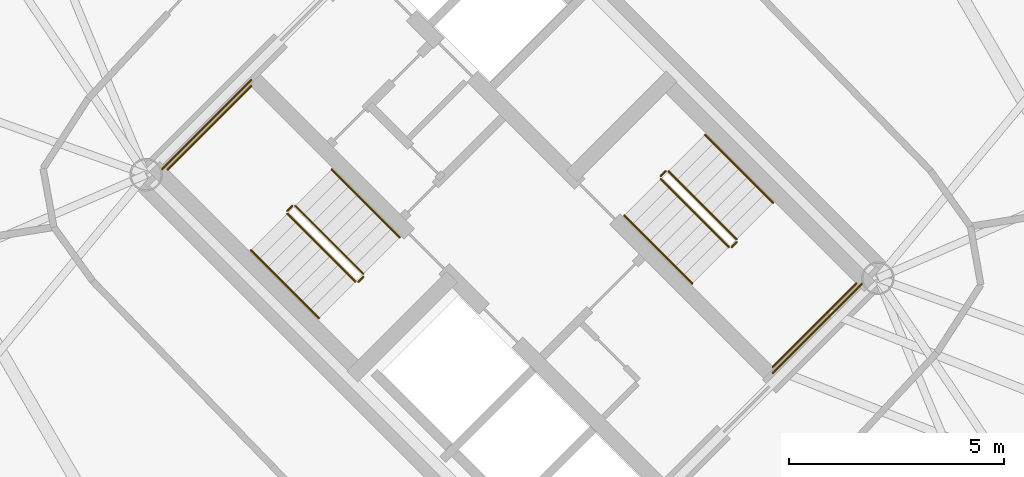
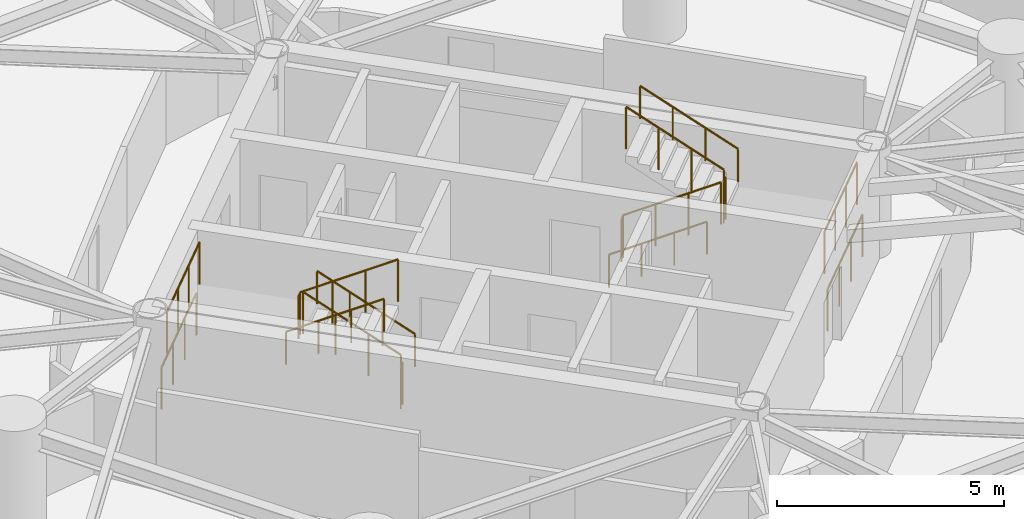
# One storey, part 16 of 16: 16 railings.
"""IFC4 building model written with IfcOpenShell, lengths in metres."""

from ifc_helpers import new_model, si_unit, direction, frame, origin, origin_2d, place, context, subcontext, project, spatial, circle, extrude, material, type_object, element, save


model = new_model("IFC4")

# Units and contexts
model_context = context("Model", 3, precision=1e-05, world=origin(), true_north=direction((0.0, 1.0)))
body_context = subcontext(model_context, "Body", "Model", "MODEL_VIEW")
ifc_project = project(units=[si_unit("LENGTHUNIT", "METRE"), si_unit("AREAUNIT", "SQUARE_METRE"), si_unit("VOLUMEUNIT", "CUBIC_METRE"), si_unit("PLANEANGLEUNIT", "RADIAN"), si_unit("MASSUNIT", "GRAM", prefix="KILO")], contexts=[model_context])

# Site, building, storey
site_placement = place(None, origin())
site = spatial("IfcSite", under=ifc_project, at=site_placement, CompositionType="ELEMENT")
building_placement = place(site_placement, origin())
building = spatial("IfcBuilding", under=site, at=building_placement, Name="Cununo Teusaquillo Station Towers", CompositionType="ELEMENT")
storey_placement = place(building_placement, frame((0.0, 0.0, 73.06005859375)))
storey = spatial("IfcBuildingStorey", under=building, at=storey_placement, Name="L22", CompositionType="ELEMENT", Elevation=73.06005859375)

# Railings
ifc_material_1 = material(Name="Steel EN 10025-2 S355J2", Category="steel")
railing_type_1 = type_object("IfcRailingType", Name="RL-INT-GUARD", PredefinedType="GUARDRAIL", material=ifc_material_1)
railing_1_placement = place(storey_placement, frame((54.03515625, 23.39697265625, 0.16162109375)))
element("IfcRailing", 1, at=railing_1_placement, inside=storey, type_object=railing_type_1, Name="L22 ST-T2-1 stair guard 1", PredefinedType="GUARDRAIL", context=body_context, shape_type="SweptSolid", body=[
    extrude(circle(Radius=0.02392578125, at=origin_2d()), frame((0.0, 0.0, 1.1259765625), z_axis=(-0.612361259024, 0.612361259024, 0.500027376144), x_axis=(-0.707106781187, -0.707106781187, 0.0)), (0.0, 0.0, 1.0), 2.586181640625),
    extrude(circle(Radius=0.02099609375, at=origin_2d()), origin(), (0.0, 0.0, 1.0), 1.101806640625),
    extrude(circle(Radius=0.02099609375, at=origin_2d()), frame((-0.52783203125, 0.52783203125, 0.43115234375)), (0.0, 0.0, 1.0), 1.101806640625),
    extrude(circle(Radius=0.02099609375, at=origin_2d()), frame((-1.055908203125, 1.055908203125, 0.862060546875)), (0.0, 0.0, 1.0), 1.101806640625),
    extrude(circle(Radius=0.02099609375, at=origin_2d()), frame((-1.583740234375, 1.583740234375, 1.293212890625)), (0.0, 0.0, 1.0), 1.101806640625),
])
railing_2_placement = place(storey_placement, frame((52.380615234375, 24.980712890625, 1.454833984375)))
element("IfcRailing", 2, at=railing_2_placement, inside=storey, type_object=railing_type_1, Name="L22 ST-T2-1 stair guard 2", PredefinedType="GUARDRAIL", context=body_context, shape_type="SweptSolid", body=[
    extrude(circle(Radius=0.02392578125, at=origin_2d()), frame((0.0, 0.0, 1.1259765625), z_axis=(-0.7078691598, -0.706343579714, 0.0), x_axis=(0.706343579714, -0.7078691598, 0.0)), (0.0, 0.0, 1.0), 0.159912109375),
    extrude(circle(Radius=0.02099609375, at=origin_2d()), origin(), (0.0, 0.0, 1.0), 1.101806640625),
    extrude(circle(Radius=0.02099609375, at=origin_2d()), frame((-0.11328125, -0.113037109375, 0.0)), (0.0, 0.0, 1.0), 1.101806640625),
])
railing_3_placement = place(storey_placement, frame((51.426025390625, 27.77392578125, 1.454833984375)))
element("IfcRailing", 3, at=railing_3_placement, inside=storey, type_object=railing_type_1, Name="L22 ST-T2-1 stair guard 3", PredefinedType="GUARDRAIL", context=body_context, shape_type="SweptSolid", body=[
    extrude(circle(Radius=0.02392578125, at=origin_2d()), frame((0.0, 0.0, 1.1259765625), z_axis=(-0.707106781187, -0.707106781187, 0.0), x_axis=(0.707106781187, -0.707106781187, 0.0)), (0.0, 0.0, 1.0), 2.760009765625),
    extrude(circle(Radius=0.02099609375, at=origin_2d()), origin(), (0.0, 0.0, 1.0), 1.101806640625),
    extrude(circle(Radius=0.02099609375, at=origin_2d()), frame((-0.650634765625, -0.650634765625, 0.0)), (0.0, 0.0, 1.0), 1.101806640625),
    extrude(circle(Radius=0.02099609375, at=origin_2d()), frame((-1.301025390625, -1.301025390625, 0.0)), (0.0, 0.0, 1.0), 1.101806640625),
    extrude(circle(Radius=0.02099609375, at=origin_2d()), frame((-1.95166015625, -1.95166015625, 0.0)), (0.0, 0.0, 1.0), 1.101806640625),
])
railing_4_placement = place(storey_placement, frame((52.267333984375, 24.796875, 1.61669921875)))
element("IfcRailing", 4, at=railing_4_placement, inside=storey, type_object=railing_type_1, Name="L22 ST-T2-1 stair guard 4", PredefinedType="GUARDRAIL", context=body_context, shape_type="SweptSolid", body=[
    extrude(circle(Radius=0.02392578125, at=origin_2d()), frame((0.0, 0.0, 1.1259765625), z_axis=(0.612420254088, -0.612325861324, 0.499998471934), x_axis=(0.707052281454, 0.707161276719, 0.0)), (0.0, 0.0, 1.0), 2.58642578125),
    extrude(circle(Radius=0.02099609375, at=origin_2d()), origin(), (0.0, 0.0, 1.0), 1.101806640625),
    extrude(circle(Radius=0.02099609375, at=origin_2d()), frame((0.528076171875, -0.52783203125, 0.43115234375)), (0.0, 0.0, 1.0), 1.101806640625),
    extrude(circle(Radius=0.02099609375, at=origin_2d()), frame((1.055908203125, -1.055908203125, 0.862060546875)), (0.0, 0.0, 1.0), 1.101806640625),
    extrude(circle(Radius=0.02099609375, at=origin_2d()), frame((1.583984375, -1.583740234375, 1.293212890625)), (0.0, 0.0, 1.0), 1.101806640625),
])
railing_5_placement = place(storey_placement, frame((54.03515625, 23.326171875, 0.0)))
element("IfcRailing", 5, at=railing_5_placement, inside=storey, type_object=railing_type_1, Name="L22 ST-T2-1 stair guard 5", PredefinedType="GUARDRAIL", context=body_context, shape_type="SweptSolid", body=[
    extrude(circle(Radius=0.02392578125, at=origin_2d()), frame((0.0, 0.0, 1.1259765625), z_axis=(-0.707106781187, -0.707106781187, 0.0), x_axis=(0.707106781187, -0.707106781187, 0.0)), (0.0, 0.0, 1.0), 0.159912109375),
    extrude(circle(Radius=0.02099609375, at=origin_2d()), origin(), (0.0, 0.0, 1.0), 1.101806640625),
    extrude(circle(Radius=0.02099609375, at=origin_2d()), frame((-0.113037109375, -0.113037109375, 0.0)), (0.0, 0.0, 1.0), 1.101806640625),
])
railing_6_placement = place(storey_placement, frame((51.426025390625, 27.915283203125, 0.0)))
element("IfcRailing", 6, at=railing_6_placement, inside=storey, type_object=railing_type_1, Name="L22 ST-T2-1 stair guard 6", PredefinedType="GUARDRAIL", context=body_context, shape_type="SweptSolid", body=[
    extrude(circle(Radius=0.02392578125, at=origin_2d()), frame((0.0, 0.0, 1.1259765625), z_axis=(-0.707106781187, -0.707106781187, 0.0), x_axis=(0.707106781187, -0.707106781187, 0.0)), (0.0, 0.0, 1.0), 2.9599609375),
    extrude(circle(Radius=0.02099609375, at=origin_2d()), origin(), (0.0, 0.0, 1.0), 1.101806640625),
    extrude(circle(Radius=0.02099609375, at=origin_2d()), frame((-0.69775390625, -0.69775390625, 0.0)), (0.0, 0.0, 1.0), 1.101806640625),
    extrude(circle(Radius=0.02099609375, at=origin_2d()), frame((-1.395263671875, -1.395263671875, 0.0)), (0.0, 0.0, 1.0), 1.101806640625),
    extrude(circle(Radius=0.02099609375, at=origin_2d()), frame((-2.093017578125, -2.093017578125, 0.0)), (0.0, 0.0, 1.0), 1.101806640625),
])
railing_7_placement = place(storey_placement, frame((60.96484375, 25.60302734375, 0.16162109375)))
element("IfcRailing", 7, at=railing_7_placement, inside=storey, type_object=railing_type_1, Name="L22 ST-T2-2 stair guard 1", PredefinedType="GUARDRAIL", context=body_context, shape_type="SweptSolid", body=[
    extrude(circle(Radius=0.02392578125, at=origin_2d()), frame((0.0, 0.0, 1.1259765625), z_axis=(0.612361259024, -0.612361259024, 0.500027376144), x_axis=(0.707106781187, 0.707106781187, 0.0)), (0.0, 0.0, 1.0), 2.586181640625),
    extrude(circle(Radius=0.02099609375, at=origin_2d()), origin(), (0.0, 0.0, 1.0), 1.101806640625),
    extrude(circle(Radius=0.02099609375, at=origin_2d()), frame((0.52783203125, -0.52783203125, 0.43115234375)), (0.0, 0.0, 1.0), 1.101806640625),
    extrude(circle(Radius=0.02099609375, at=origin_2d()), frame((1.055908203125, -1.055908203125, 0.862060546875)), (0.0, 0.0, 1.0), 1.101806640625),
    extrude(circle(Radius=0.02099609375, at=origin_2d()), frame((1.583740234375, -1.583740234375, 1.293212890625)), (0.0, 0.0, 1.0), 1.101806640625),
])
railing_8_placement = place(storey_placement, frame((62.619384765625, 24.019287109375, 1.454833984375)))
element("IfcRailing", 8, at=railing_8_placement, inside=storey, type_object=railing_type_1, Name="L22 ST-T2-2 stair guard 2", PredefinedType="GUARDRAIL", context=body_context, shape_type="SweptSolid", body=[
    extrude(circle(Radius=0.02392578125, at=origin_2d()), frame((0.0, 0.0, 1.1259765625), z_axis=(0.7078691598, 0.706343579714, 0.0), x_axis=(-0.706343579714, 0.7078691598, 0.0)), (0.0, 0.0, 1.0), 0.159912109375),
    extrude(circle(Radius=0.02099609375, at=origin_2d()), origin(), (0.0, 0.0, 1.0), 1.101806640625),
    extrude(circle(Radius=0.02099609375, at=origin_2d()), frame((0.11328125, 0.113037109375, 0.0)), (0.0, 0.0, 1.0), 1.101806640625),
])
railing_9_placement = place(storey_placement, frame((63.573974609375, 21.22607421875, 1.454833984375)))
element("IfcRailing", 9, at=railing_9_placement, inside=storey, type_object=railing_type_1, Name="L22 ST-T2-2 stair guard 3", PredefinedType="GUARDRAIL", context=body_context, shape_type="SweptSolid", body=[
    extrude(circle(Radius=0.02392578125, at=origin_2d()), frame((0.0, 0.0, 1.1259765625), z_axis=(0.707106781187, 0.707106781187, 0.0), x_axis=(-0.707106781187, 0.707106781187, 0.0)), (0.0, 0.0, 1.0), 2.760009765625),
    extrude(circle(Radius=0.02099609375, at=origin_2d()), origin(), (0.0, 0.0, 1.0), 1.101806640625),
    extrude(circle(Radius=0.02099609375, at=origin_2d()), frame((0.650634765625, 0.650634765625, 0.0)), (0.0, 0.0, 1.0), 1.101806640625),
    extrude(circle(Radius=0.02099609375, at=origin_2d()), frame((1.301025390625, 1.301025390625, 0.0)), (0.0, 0.0, 1.0), 1.101806640625),
    extrude(circle(Radius=0.02099609375, at=origin_2d()), frame((1.95166015625, 1.95166015625, 0.0)), (0.0, 0.0, 1.0), 1.101806640625),
])
railing_10_placement = place(storey_placement, frame((62.732666015625, 24.203125, 1.61669921875)))
element("IfcRailing", 10, at=railing_10_placement, inside=storey, type_object=railing_type_1, Name="L22 ST-T2-2 stair guard 4", PredefinedType="GUARDRAIL", context=body_context, shape_type="SweptSolid", body=[
    extrude(circle(Radius=0.02392578125, at=origin_2d()), frame((0.0, 0.0, 1.1259765625), z_axis=(-0.612420254088, 0.612325861324, 0.499998471934), x_axis=(-0.707052281454, -0.707161276719, 0.0)), (0.0, 0.0, 1.0), 2.58642578125),
    extrude(circle(Radius=0.02099609375, at=origin_2d()), origin(), (0.0, 0.0, 1.0), 1.101806640625),
    extrude(circle(Radius=0.02099609375, at=origin_2d()), frame((-0.528076171875, 0.52783203125, 0.43115234375)), (0.0, 0.0, 1.0), 1.101806640625),
    extrude(circle(Radius=0.02099609375, at=origin_2d()), frame((-1.055908203125, 1.055908203125, 0.862060546875)), (0.0, 0.0, 1.0), 1.101806640625),
    extrude(circle(Radius=0.02099609375, at=origin_2d()), frame((-1.583984375, 1.583740234375, 1.293212890625)), (0.0, 0.0, 1.0), 1.101806640625),
])
railing_11_placement = place(storey_placement, frame((60.96484375, 25.673828125, 0.0)))
element("IfcRailing", 11, at=railing_11_placement, inside=storey, type_object=railing_type_1, Name="L22 ST-T2-2 stair guard 5", PredefinedType="GUARDRAIL", context=body_context, shape_type="SweptSolid", body=[
    extrude(circle(Radius=0.02392578125, at=origin_2d()), frame((0.0, 0.0, 1.1259765625), z_axis=(0.707106781187, 0.707106781187, 0.0), x_axis=(-0.707106781187, 0.707106781187, 0.0)), (0.0, 0.0, 1.0), 0.159912109375),
    extrude(circle(Radius=0.02099609375, at=origin_2d()), origin(), (0.0, 0.0, 1.0), 1.101806640625),
    extrude(circle(Radius=0.02099609375, at=origin_2d()), frame((0.113037109375, 0.113037109375, 0.0)), (0.0, 0.0, 1.0), 1.101806640625),
])
railing_12_placement = place(storey_placement, frame((63.573974609375, 21.084716796875, 0.0)))
element("IfcRailing", 12, at=railing_12_placement, inside=storey, type_object=railing_type_1, Name="L22 ST-T2-2 stair guard 6", PredefinedType="GUARDRAIL", context=body_context, shape_type="SweptSolid", body=[
    extrude(circle(Radius=0.02392578125, at=origin_2d()), frame((0.0, 0.0, 1.1259765625), z_axis=(0.707106781187, 0.707106781187, 0.0), x_axis=(-0.707106781187, 0.707106781187, 0.0)), (0.0, 0.0, 1.0), 2.9599609375),
    extrude(circle(Radius=0.02099609375, at=origin_2d()), origin(), (0.0, 0.0, 1.0), 1.101806640625),
    extrude(circle(Radius=0.02099609375, at=origin_2d()), frame((0.69775390625, 0.69775390625, 0.0)), (0.0, 0.0, 1.0), 1.101806640625),
    extrude(circle(Radius=0.02099609375, at=origin_2d()), frame((1.395263671875, 1.395263671875, 0.0)), (0.0, 0.0, 1.0), 1.101806640625),
    extrude(circle(Radius=0.02099609375, at=origin_2d()), frame((2.093017578125, 2.093017578125, 0.0)), (0.0, 0.0, 1.0), 1.101806640625),
])
ifc_material_2 = material(Name="Steel EN 10025-2 S355J2", Category="steel")
railing_type_2 = type_object("IfcRailingType", Name="RL-INT-HRAIL", PredefinedType="HANDRAIL", material=ifc_material_2)
railing_13_placement = place(storey_placement, frame((54.8837890625, 24.245361328125, 0.16162109375)))
element("IfcRailing", 13, at=railing_13_placement, inside=storey, type_object=railing_type_2, Name="L22 ST-T2-1 stair handrail 1", PredefinedType="HANDRAIL", context=body_context, shape_type="SweptSolid", body=[
    extrude(circle(Radius=0.02392578125, at=origin_2d()), frame((0.0, 0.0, 0.8759765625), z_axis=(-0.612384857071, 0.612384857071, 0.499969572735), x_axis=(-0.707106781187, -0.707106781187, 0.0)), (0.0, 0.0, 1.0), 2.586669921875),
    extrude(circle(Radius=0.02099609375, at=origin_2d()), origin(), (0.0, 0.0, 1.0), 0.851806640625),
    extrude(circle(Radius=0.02099609375, at=origin_2d()), frame((-0.528076171875, 0.528076171875, 0.43115234375)), (0.0, 0.0, 1.0), 0.851806640625),
    extrude(circle(Radius=0.02099609375, at=origin_2d()), frame((-1.055908203125, 1.055908203125, 0.862060546875)), (0.0, 0.0, 1.0), 0.851806640625),
    extrude(circle(Radius=0.02099609375, at=origin_2d()), frame((-1.583984375, 1.583984375, 1.293212890625)), (0.0, 0.0, 1.0), 0.851806640625),
])
for number, where, name in (
    (14, (51.4189453125, 23.948486328125, 1.61669921875), "L22 ST-T2-1 stair handrail 2"),
    (15, (60.1162109375, 24.754638671875, 0.16162109375), "L22 ST-T2-2 stair handrail 1"),
):
    element("IfcRailing", number, at=place(storey_placement, frame(where)), inside=storey, type_object=railing_type_2, Name=name, PredefinedType="HANDRAIL", context=body_context, shape_type="SweptSolid", body=[
        extrude(circle(Radius=0.02392578125, at=origin_2d()), frame((0.0, 0.0, 0.8759765625), z_axis=(0.612384857071, -0.612384857071, 0.499969572735), x_axis=(0.707106781187, 0.707106781187, 0.0)), (0.0, 0.0, 1.0), 2.586669921875),
        extrude(circle(Radius=0.02099609375, at=origin_2d()), origin(), (0.0, 0.0, 1.0), 0.851806640625),
        extrude(circle(Radius=0.02099609375, at=origin_2d()), frame((0.528076171875, -0.528076171875, 0.43115234375)), (0.0, 0.0, 1.0), 0.851806640625),
        extrude(circle(Radius=0.02099609375, at=origin_2d()), frame((1.055908203125, -1.055908203125, 0.862060546875)), (0.0, 0.0, 1.0), 0.851806640625),
        extrude(circle(Radius=0.02099609375, at=origin_2d()), frame((1.583984375, -1.583984375, 1.293212890625)), (0.0, 0.0, 1.0), 0.851806640625),
    ])
railing_14_placement = place(storey_placement, frame((63.5810546875, 25.051513671875, 1.61669921875)))
element("IfcRailing", 16, at=railing_14_placement, inside=storey, type_object=railing_type_2, Name="L22 ST-T2-2 stair handrail 2", PredefinedType="HANDRAIL", context=body_context, shape_type="SweptSolid", body=[
    extrude(circle(Radius=0.02392578125, at=origin_2d()), frame((0.0, 0.0, 0.8759765625), z_axis=(-0.612384857071, 0.612384857071, 0.499969572735), x_axis=(-0.707106781187, -0.707106781187, 0.0)), (0.0, 0.0, 1.0), 2.586669921875),
    extrude(circle(Radius=0.02099609375, at=origin_2d()), origin(), (0.0, 0.0, 1.0), 0.851806640625),
    extrude(circle(Radius=0.02099609375, at=origin_2d()), frame((-0.528076171875, 0.528076171875, 0.43115234375)), (0.0, 0.0, 1.0), 0.851806640625),
    extrude(circle(Radius=0.02099609375, at=origin_2d()), frame((-1.055908203125, 1.055908203125, 0.862060546875)), (0.0, 0.0, 1.0), 0.851806640625),
    extrude(circle(Radius=0.02099609375, at=origin_2d()), frame((-1.583984375, 1.583984375, 1.293212890625)), (0.0, 0.0, 1.0), 0.851806640625),
])

save(model, "model.ifc")
